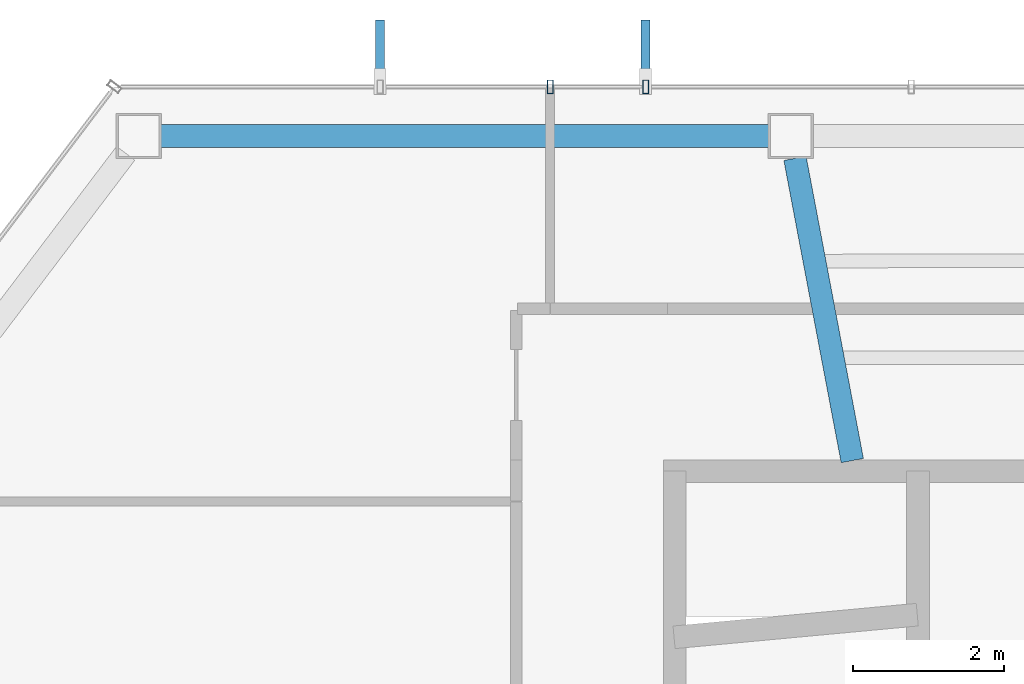
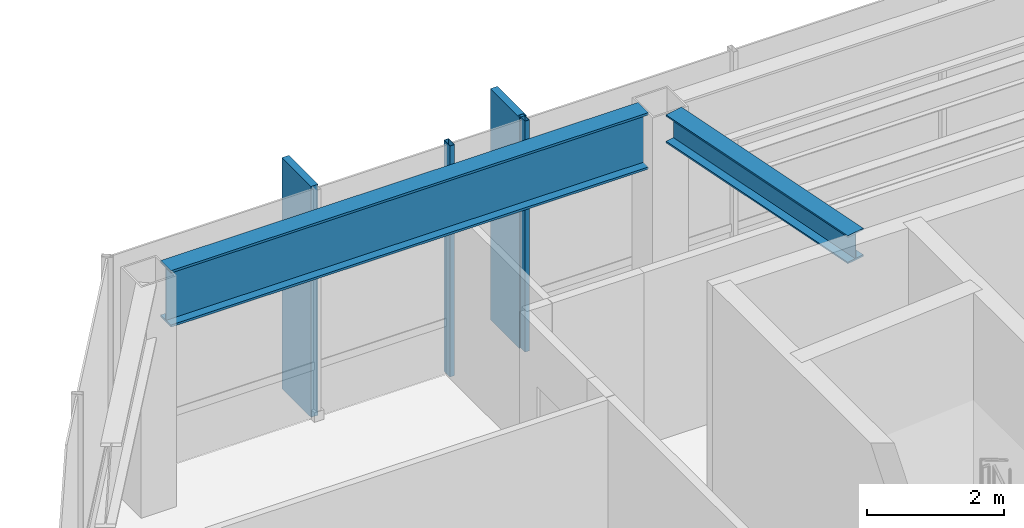
# One storey, part 8 of 23: 4 members, 2 beams, 1 element without a shape of its own.
"""IFC4 building model written with IfcOpenShell, lengths in metres."""

from ifc_helpers import new_model, si_unit, direction, frame, origin, origin_2d, place, context, subcontext, project, spatial, rectangle, hollow_rectangle, i_section, extrude, material, layer, layer_set, material_profile, profile_set, type_object, element, aggregate, save


model = new_model("IFC4")

# Units and contexts
model_context = context("Model", 3, precision=1e-05, world=origin(), true_north=direction((0.0, 1.0)))
body_context = subcontext(model_context, "Body", "Model", "MODEL_VIEW")
ifc_project = project(units=[si_unit("LENGTHUNIT", "METRE"), si_unit("AREAUNIT", "SQUARE_METRE"), si_unit("VOLUMEUNIT", "CUBIC_METRE"), si_unit("PLANEANGLEUNIT", "RADIAN"), si_unit("MASSUNIT", "GRAM", prefix="KILO")], contexts=[model_context])

# Site, building, storey
site_placement = place(None, origin())
site = spatial("IfcSite", under=ifc_project, at=site_placement, CompositionType="ELEMENT")
building_placement = place(site_placement, origin())
building = spatial("IfcBuilding", under=site, at=building_placement, Name="Zarrinselat Tower", CompositionType="ELEMENT")
storey_placement = place(building_placement, frame((0.0, 0.0, 199.919921875)))
storey = spatial("IfcBuildingStorey", under=building, at=storey_placement, Name="L49", CompositionType="ELEMENT", Elevation=199.919921875)

# Beams
ifc_material_1 = material(Name="Steel S355J2", Category="steel")
ifc_material_profile_1 = material_profile(ifc_material_1, i_section(OverallWidth=0.300048828125, OverallDepth=0.5, WebThickness=0.014404296875, FlangeThickness=0.028076171875, at=origin_2d()), Name="HEB 500")
ifc_profile_set_1 = profile_set([ifc_material_profile_1], Name="Steel S355J2")
beam_type_1 = type_object("IfcBeamType", Name="BM-HEB500", PredefinedType="BEAM", material=ifc_profile_set_1)
beam_1_placement = place(storey_placement, frame((30.240966796875, 47.542236328125, 3.8701171875), z_axis=(0.186332653706, -0.982486713479, 0.0), x_axis=(0.982486713479, 0.186332653706, 0.0)))
element("IfcBeam", 1, at=beam_1_placement, inside=storey, type_object=beam_type_1, Name="L49 Radial Primary Girder RG04", PredefinedType="BEAM", context=body_context, shape_type="SweptSolid", body=[
    extrude(i_section(OverallWidth=0.300048828125, OverallDepth=0.5, WebThickness=0.014404296875, FlangeThickness=0.028076171875, at=origin_2d()), origin(), (0.0, 0.0, 1.0), 4.073486328125),
])
ifc_material_2 = material(Name="Steel S460M", Category="steel")
ifc_material_profile_2 = material_profile(ifc_material_2, i_section(OverallWidth=0.302001953125, OverallDepth=1.008056640625, WebThickness=0.02099609375, FlangeThickness=0.0400390625, at=origin_2d()), Name="HEM 1000")
ifc_profile_set_2 = profile_set([ifc_material_profile_2], Name="Steel S460M")
beam_type_2 = type_object("IfcBeamType", Name="BM-HEM1000", PredefinedType="BEAM", material=ifc_profile_set_2)
beam_2_placement = place(storey_placement, frame((21.8408203125, 47.839111328125, 3.615966796875), z_axis=(1.0, 0.0, 0.0), x_axis=(0.0, 1.0, 0.0)))
element("IfcBeam", 2, at=beam_2_placement, inside=storey, type_object=beam_type_2, Name="L49 Perimeter Spandrel Girder SP04", PredefinedType="BEAM", context=body_context, shape_type="SweptSolid", body=[
    extrude(i_section(OverallWidth=0.302001953125, OverallDepth=1.008056640625, WebThickness=0.02099609375, FlangeThickness=0.0400390625, at=origin_2d()), origin(), (0.0, 0.0, 1.0), 8.0556640625),
])

# Curtain wall, members
ifc_material_3 = material(Name="Extruded Aluminium Alloy EN AW-6063 T6", Category="aluminium")
ifc_layer = layer(ifc_material_3, 0.195068359375)
ifc_layer_set = layer_set([ifc_layer], Name="Extruded Aluminium Alloy EN AW-6063 T6")
curtain_wall_type = type_object("IfcCurtainWallType", Name="CWS-GDN", PredefinedType="NOTDEFINED", material=ifc_layer_set)
curtain_wall_placement = place(storey_placement, origin())
curtain_wall = element("IfcCurtainWall", 3, at=curtain_wall_placement, inside=storey, type_object=curtain_wall_type, Name="L49 Unitised Curtain Wall CW-L49-E02", PredefinedType="NOTDEFINED")
ifc_material_4 = material(Name="Extruded Aluminium Alloy EN AW-6063 T6", Category="aluminium")
ifc_material_profile_3 = material_profile(ifc_material_4, hollow_rectangle(XDim=0.080078125, YDim=0.179931640625, WallThickness=0.0048828125, at=origin_2d()), Name="RHS 180x80x5")
ifc_profile_set_3 = profile_set([ifc_material_profile_3], Name="Extruded Aluminium Alloy EN AW-6063 T6")
member_type_1 = type_object("IfcMemberType", Name="MEM-CW-MUL", PredefinedType="MULLION", material=ifc_profile_set_3)
member_1_placement = place(storey_placement, frame((27.0, 48.489013671875, 0.0), z_axis=(0.0, 0.0, 1.0), x_axis=(1.0, 0.0, 0.0)))
member_1 = element("IfcMember", 4, at=member_1_placement, type_object=member_type_1, Name="CW-L49-E02 Mullion 2", PredefinedType="MULLION", context=body_context, shape_type="SweptSolid", body=[
    extrude(hollow_rectangle(XDim=0.080078125, YDim=0.179931640625, WallThickness=0.0048828125, at=origin_2d()), origin(), (0.0, 0.0, 1.0), 4.1201171875),
])
member_2_placement = place(storey_placement, frame((28.264404296875, 48.489013671875, 0.0), z_axis=(0.0, 0.0, 1.0), x_axis=(1.0, 0.0, 0.0)))
member_2 = element("IfcMember", 5, at=member_2_placement, type_object=member_type_1, Name="CW-L49-E02 Mullion 3", PredefinedType="MULLION", context=body_context, shape_type="SweptSolid", body=[
    extrude(hollow_rectangle(XDim=0.080078125, YDim=0.179931640625, WallThickness=0.0048828125, at=origin_2d()), origin(), (0.0, 0.0, 1.0), 4.1201171875),
])
ifc_material_5 = material(Name="Honed Cream Travertine Stone", Category="masonry")
ifc_material_profile_4 = material_profile(ifc_material_5, rectangle(XDim=0.1201171875, YDim=0.85009765625, at=origin_2d()), Name="FIN 850x120")
ifc_profile_set_4 = profile_set([ifc_material_profile_4], Name="Honed Cream Travertine Stone")
member_type_2 = type_object("IfcMemberType", Name="MEM-STONE-FIN", PredefinedType="USERDEFINED", material=ifc_profile_set_4)
member_3_placement = place(storey_placement, frame((24.747314453125, 48.948974609375, 0.0), z_axis=(0.0, 0.0, 1.0), x_axis=(1.0, 0.0, 0.0)))
member_3 = element("IfcMember", 6, at=member_3_placement, type_object=member_type_2, Name="L49 Stone Shading Fin CW-L49-E02-01", ObjectType="FIN", PredefinedType="USERDEFINED", context=body_context, shape_type="SweptSolid", body=[
    extrude(rectangle(XDim=0.1201171875, YDim=0.85009765625, at=origin_2d()), origin(), (0.0, 0.0, 1.0), 4.1201171875),
])
member_4_placement = place(storey_placement, frame((28.264404296875, 48.948974609375, 0.0), z_axis=(0.0, 0.0, 1.0), x_axis=(1.0, 0.0, 0.0)))
member_4 = element("IfcMember", 7, at=member_4_placement, type_object=member_type_2, Name="L49 Stone Shading Fin CW-L49-E02-03", ObjectType="FIN", PredefinedType="USERDEFINED", context=body_context, shape_type="SweptSolid", body=[
    extrude(rectangle(XDim=0.1201171875, YDim=0.85009765625, at=origin_2d()), origin(), (0.0, 0.0, 1.0), 4.1201171875),
])
aggregate(curtain_wall, [member_3, member_1, member_2, member_4])

save(model, "model.ifc")
